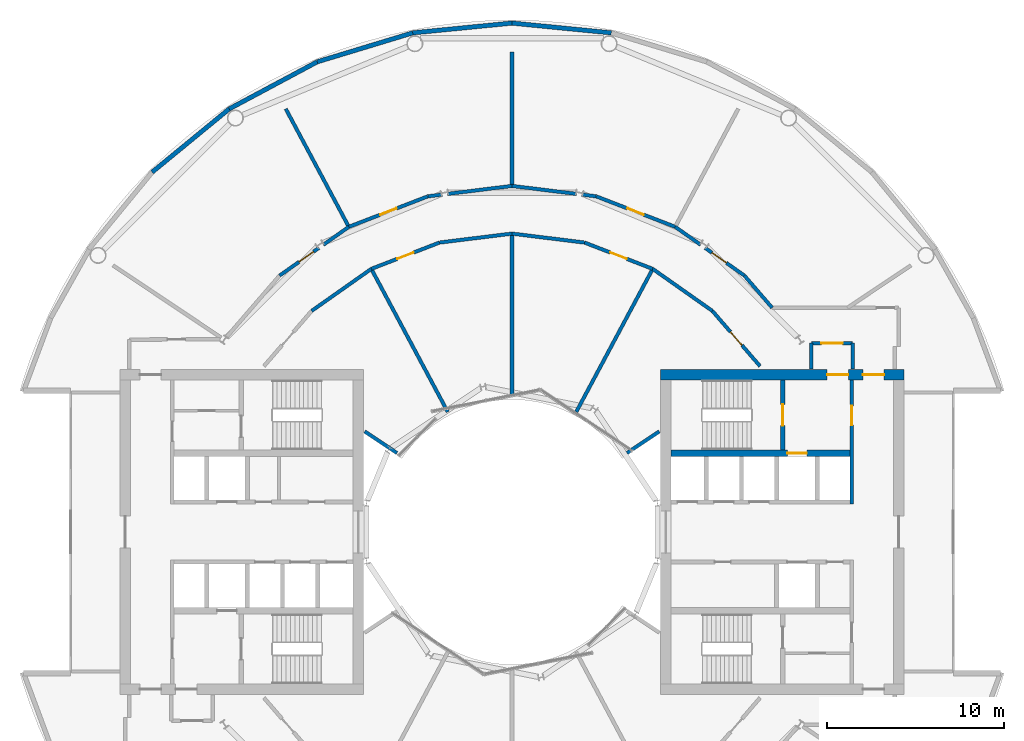
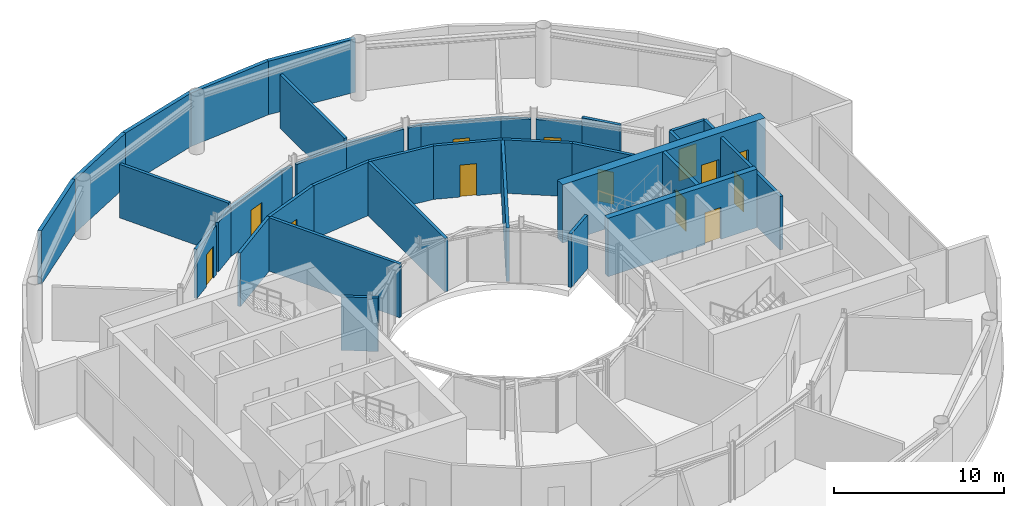
# One storey, part 14 of 18: 37 walls, 13 doors, 13 openings.
"""IFC4 building model written with IfcOpenShell, lengths in metres."""

from ifc_helpers import new_model, si_unit, direction, frame, frame_2d, origin, place, context, subcontext, project, spatial, rectangle, extrude, material, layer, layer_set, type_object, element, fill, save


model = new_model("IFC4")

# Units and contexts
model_context = context("Model", 3, precision=1e-05, world=origin(), true_north=direction((0.0, 1.0)))
body_context = subcontext(model_context, "Body", "Model", "MODEL_VIEW")
ifc_project = project(units=[si_unit("LENGTHUNIT", "METRE"), si_unit("AREAUNIT", "SQUARE_METRE"), si_unit("VOLUMEUNIT", "CUBIC_METRE"), si_unit("PLANEANGLEUNIT", "RADIAN"), si_unit("MASSUNIT", "GRAM", prefix="KILO")], contexts=[model_context])

# Site, building, storey
site_placement = place(None, origin())
site = spatial("IfcSite", under=ifc_project, at=site_placement, CompositionType="ELEMENT")
building_placement = place(site_placement, origin())
building = spatial("IfcBuilding", under=site, at=building_placement, Name="Maasbend Ring Residences", CompositionType="ELEMENT")
storey_placement = place(building_placement, frame((0.0, 0.0, 103.25)))
storey = spatial("IfcBuildingStorey", under=building, at=storey_placement, Name="L29", CompositionType="ELEMENT", Elevation=103.25)

# Walls
ifc_material_1 = material(Name="Concrete C30/37", Category="concrete")
ifc_layer_1 = layer(ifc_material_1, 0.199951171875)
ifc_layer_set_1 = layer_set([ifc_layer_1], Name="Concrete C30/37")
wall_type_1 = type_object("IfcWallType", Name="COMPARTMENT WALL 200 CONCRETE", PredefinedType="PARTITIONING", material=ifc_layer_set_1)
for number, where, z_axis, x_axis, name in (
    (1, (19.300048828125, 9.219970703125, 0.0), (0.0, 0.0, 1.0), (0.0, 1.0, 0.0), "U-L29-w016"),
    (2, (16.949951171875, 9.219970703125, 0.0), (0.0, 0.0, 1.0), (0.0, 1.0, 0.0), "U-L29-w017"),
):
    element("IfcWall", number, at=place(storey_placement, frame(where, z_axis=z_axis, x_axis=x_axis)), inside=storey, type_object=wall_type_1, Name=name, PredefinedType="PARTITIONING", context=body_context, shape_type="SweptSolid", body=[
        extrude(rectangle(XDim=1.47998046875, YDim=0.199951171875, at=frame_2d((0.739990234375, 0.0))), origin(), (0.0, 0.0, 1.0), 3.85009765625),
    ])
wall_1_placement = place(storey_placement, frame((-12.81298828125, 23.965087890625, 0.0), z_axis=(0.0, 0.0, 1.0), x_axis=(0.471439510802, -0.881898399848, 0.0)))
element("IfcWall", 3, at=wall_1_placement, inside=storey, type_object=wall_type_1, Name="U-L29-w033", PredefinedType="PARTITIONING", context=body_context, shape_type="SweptSolid", body=[
    extrude(rectangle(XDim=7.57470703125, YDim=0.199951171875, at=frame_2d((3.787353515625, 0.0))), origin(), (0.0, 0.0, 1.0), 3.85009765625),
])
wall_2_placement = place(storey_placement, frame((-7.968994140625, 14.903076171875, 0.0), z_axis=(0.0, 0.0, 1.0), x_axis=(0.471428625665, -0.881904218667, 0.0)))
element("IfcWall", 4, at=wall_2_placement, inside=storey, type_object=wall_type_1, Name="U-L29-w035", PredefinedType="PARTITIONING", context=body_context, shape_type="SweptSolid", body=[
    extrude(rectangle(XDim=9.180419921875, YDim=0.199951171875, at=frame_2d((4.59033203125, 0.0))), origin(), (0.0, 0.0, 1.0), 3.85009765625),
])
wall_3_placement = place(storey_placement, frame((0.0, 7.719970703125, 0.0), z_axis=(0.0, 0.0, 1.0), x_axis=(0.0, 1.0, 0.0)))
element("IfcWall", 5, at=wall_3_placement, inside=storey, type_object=wall_type_1, Name="U-L29-w039", PredefinedType="PARTITIONING", context=body_context, shape_type="SweptSolid", body=[
    extrude(rectangle(XDim=9.179931640625, YDim=0.199951171875, at=frame_2d((4.58984375, 0.0))), origin(), (0.0, 0.0, 1.0), 3.85009765625),
])
wall_4_placement = place(storey_placement, frame((0.0, 19.60009765625, 0.0), z_axis=(0.0, 0.0, 1.0), x_axis=(0.0, 1.0, 0.0)))
element("IfcWall", 6, at=wall_4_placement, inside=storey, type_object=wall_type_1, Name="U-L29-w040", PredefinedType="PARTITIONING", context=body_context, shape_type="SweptSolid", body=[
    extrude(rectangle(XDim=7.574951171875, YDim=0.199951171875, at=frame_2d((3.78759765625, 0.0))), origin(), (0.0, 0.0, 1.0), 3.85009765625),
])
wall_5_placement = place(storey_placement, frame((3.64111328125, 6.806884765625, 0.0), z_axis=(0.0, 0.0, 1.0), x_axis=(0.471428625665, 0.881904218667, 0.0)))
element("IfcWall", 7, at=wall_5_placement, inside=storey, type_object=wall_type_1, Name="U-L29-w042", PredefinedType="PARTITIONING", context=body_context, shape_type="SweptSolid", body=[
    extrude(rectangle(XDim=9.180419921875, YDim=0.199951171875, at=frame_2d((4.59033203125, 0.0))), origin(), (0.0, 0.0, 1.0), 3.85009765625),
])

# Wall, opening, door
wall_6_placement = place(storey_placement, frame((16.949951171875, 10.699951171875, 0.0), z_axis=(0.0, 0.0, 1.0), x_axis=(1.0, 0.0, 0.0)))
wall_6 = element("IfcWall", 8, at=wall_6_placement, inside=storey, type_object=wall_type_1, Name="U-L29-w049", PredefinedType="PARTITIONING", context=body_context, shape_type="SweptSolid", body=[
    extrude(rectangle(XDim=2.35009765625, YDim=0.199951171875, at=frame_2d((1.175048828125, 0.0))), origin(), (0.0, 0.0, 1.0), 3.85009765625),
])
opening_1_placement = place(wall_6_placement, frame((0.574951171875, 0.0, 0.0)))
opening_1 = element("IfcOpeningElement", 9, at=opening_1_placement, cuts=wall_6, Name="Opening D-2901", PredefinedType="OPENING", context=body_context, shape_type="SweptSolid", body=[
    extrude(rectangle(XDim=1.199951171875, YDim=2.300048828125, at=frame_2d((0.60009765625, 1.14990234375))), frame((0.0, 0.10986328125, 0.0), z_axis=(0.0, -1.0, 0.0), x_axis=(1.0, 0.0, 0.0)), (0.0, 0.0, 1.0), 0.219970703125),
])
ifc_material_2 = material(Name="Steel, fire-rated, painted", Category="steel")
door_type_1 = type_object("IfcDoorType", Name="REFUGE DOOR 1200 X 2300 FIRE-RATED", OperationType="NOTDEFINED", PredefinedType="DOOR", material=ifc_material_2)
door_1_placement = place(opening_1_placement, origin())
door_1 = element("IfcDoor", 10, at=door_1_placement, inside=storey, type_object=door_type_1, Name="D-2901", OperationType="SINGLE_SWING_LEFT", OverallHeight=2.300048828125, OverallWidth=1.199951171875, PredefinedType="DOOR", context=body_context, shape_type="SweptSolid", body=[
    extrude(rectangle(XDim=1.199951171875, YDim=2.300048828125, at=frame_2d((0.60009765625, 1.14990234375))), frame((0.0, 0.02490234375, 0.0), z_axis=(0.0, -1.0, 0.0), x_axis=(1.0, 0.0, 0.0)), (0.0, 0.0, 1.0), 0.050048828125),
])
fill(opening_1, door_1)

# Wall
wall_7_placement = place(storey_placement, frame((-11.34912109375, 12.52197265625, 0.0), z_axis=(0.0, 0.0, 1.0), x_axis=(0.817567680547, 0.575832517079, 0.0)))
element("IfcWall", 11, at=wall_7_placement, inside=storey, type_object=wall_type_1, Name="U-L29-w053", PredefinedType="PARTITIONING", context=body_context, shape_type="SweptSolid", body=[
    extrude(rectangle(XDim=4.13671875, YDim=0.199951171875, at=frame_2d((2.068359375, 0.0))), origin(), (0.0, 0.0, 1.0), 3.85009765625),
])

# Wall, opening, door
wall_8_placement = place(storey_placement, frame((-7.967041015625, 14.904052734375, 0.0), z_axis=(0.0, 0.0, 1.0), x_axis=(0.932943640288, 0.360022449363, 0.0)))
wall_8 = element("IfcWall", 12, at=wall_8_placement, inside=storey, type_object=wall_type_1, Name="U-L29-w054", PredefinedType="PARTITIONING", context=body_context, shape_type="SweptSolid", body=[
    extrude(rectangle(XDim=4.138671875, YDim=0.199951171875, at=frame_2d((2.0693359375, 0.0))), origin(), (0.0, 0.0, 1.0), 3.85009765625),
])
opening_2_placement = place(wall_8_placement, frame((1.569091796875, 0.0, 0.0)))
opening_2 = element("IfcOpeningElement", 13, at=opening_2_placement, cuts=wall_8, Name="Opening D-2909", PredefinedType="OPENING", context=body_context, shape_type="SweptSolid", body=[
    extrude(rectangle(XDim=1.0, YDim=2.300048828125, at=frame_2d((0.5, 1.14990234375))), frame((0.0, 0.10986328125, 0.0), z_axis=(0.0, -1.0, 0.0), x_axis=(1.0, 0.0, 0.0)), (0.0, 0.0, 1.0), 0.219970703125),
])
ifc_material_3 = material(Name="Steel, fire-rated, painted", Category="steel")
door_type_2 = type_object("IfcDoorType", Name="PLANT DOOR 1000 X 2300 FIRE-RATED", OperationType="NOTDEFINED", PredefinedType="DOOR", material=ifc_material_3)
door_2_placement = place(opening_2_placement, origin())
door_2 = element("IfcDoor", 14, at=door_2_placement, inside=storey, type_object=door_type_2, Name="D-2909", OperationType="SINGLE_SWING_RIGHT", OverallHeight=2.300048828125, OverallWidth=1.0, PredefinedType="DOOR", context=body_context, shape_type="SweptSolid", body=[
    extrude(rectangle(XDim=1.0, YDim=2.300048828125, at=frame_2d((0.5, 1.14990234375))), frame((0.0, 0.02490234375, 0.0), z_axis=(0.0, -1.0, 0.0), x_axis=(1.0, 0.0, 0.0)), (0.0, 0.0, 1.0), 0.050048828125),
])
fill(opening_2, door_2)

# Walls
for number, where, z_axis, x_axis, name in (
    (15, (-4.10595703125, 16.39404296875, 0.0), (0.0, 0.0, 1.0), (0.992496033272, 0.122276833211, 0.0), "U-L29-w055"),
    (16, (0.0, 16.89990234375, 0.0), (0.0, 0.0, 1.0), (0.992496033272, -0.122276833211, 0.0), "U-L29-w056"),
):
    element("IfcWall", number, at=place(storey_placement, frame(where, z_axis=z_axis, x_axis=x_axis)), inside=storey, type_object=wall_type_1, Name=name, PredefinedType="PARTITIONING", context=body_context, shape_type="SweptSolid", body=[
        extrude(rectangle(XDim=4.136962890625, YDim=0.199951171875, at=frame_2d((2.068359375, 0.0))), origin(), (0.0, 0.0, 1.0), 3.85009765625),
    ])

# Wall, opening, door
wall_9_placement = place(storey_placement, frame((4.10595703125, 16.39404296875, 0.0), z_axis=(0.0, 0.0, 1.0), x_axis=(0.932943640288, -0.360022449363, 0.0)))
wall_9 = element("IfcWall", 17, at=wall_9_placement, inside=storey, type_object=wall_type_1, Name="U-L29-w057", PredefinedType="PARTITIONING", context=body_context, shape_type="SweptSolid", body=[
    extrude(rectangle(XDim=4.138671875, YDim=0.199951171875, at=frame_2d((2.0693359375, 0.0))), origin(), (0.0, 0.0, 1.0), 3.85009765625),
])
opening_3_placement = place(wall_9_placement, frame((1.569091796875, 0.0, 0.0)))
opening_3 = element("IfcOpeningElement", 18, at=opening_3_placement, cuts=wall_9, Name="Opening D-2908", PredefinedType="OPENING", context=body_context, shape_type="SweptSolid", body=[
    extrude(rectangle(XDim=1.0, YDim=2.300048828125, at=frame_2d((0.5, 1.14990234375))), frame((0.0, 0.10986328125, 0.0), z_axis=(0.0, -1.0, 0.0), x_axis=(1.0, 0.0, 0.0)), (0.0, 0.0, 1.0), 0.219970703125),
])
door_3_placement = place(opening_3_placement, origin())
door_3 = element("IfcDoor", 19, at=door_3_placement, inside=storey, type_object=door_type_2, Name="D-2908", OperationType="SINGLE_SWING_LEFT", OverallHeight=2.300048828125, OverallWidth=1.0, PredefinedType="DOOR", context=body_context, shape_type="SweptSolid", body=[
    extrude(rectangle(XDim=1.0, YDim=2.300048828125, at=frame_2d((0.5, 1.14990234375))), frame((0.0, 0.02490234375, 0.0), z_axis=(0.0, -1.0, 0.0), x_axis=(1.0, 0.0, 0.0)), (0.0, 0.0, 1.0), 0.050048828125),
])
fill(opening_3, door_3)

# Wall
wall_10_placement = place(storey_placement, frame((7.967041015625, 14.904052734375, 0.0), z_axis=(0.0, 0.0, 1.0), x_axis=(0.817567680547, -0.575832517079, 0.0)))
element("IfcWall", 20, at=wall_10_placement, inside=storey, type_object=wall_type_1, Name="U-L29-w058", PredefinedType="PARTITIONING", context=body_context, shape_type="SweptSolid", body=[
    extrude(rectangle(XDim=4.13671875, YDim=0.199951171875, at=frame_2d((2.068359375, 0.0))), origin(), (0.0, 0.0, 1.0), 3.85009765625),
])

# Wall, opening, door
wall_11_placement = place(storey_placement, frame((11.34912109375, 12.52197265625, 0.0), z_axis=(0.0, 0.0, 1.0), x_axis=(0.653212695939, -0.757174467256, 0.0)))
wall_11 = element("IfcWall", 21, at=wall_11_placement, inside=storey, type_object=wall_type_1, Name="U-L29-w059", PredefinedType="PARTITIONING", context=body_context, shape_type="SweptSolid", body=[
    extrude(rectangle(XDim=4.137939453125, YDim=0.199951171875, at=frame_2d((2.06884765625, 0.0))), origin(), (0.0, 0.0, 1.0), 3.85009765625),
])
opening_4_placement = place(wall_11_placement, frame((1.569091796875, 0.0, 0.0)))
opening_4 = element("IfcOpeningElement", 22, at=opening_4_placement, cuts=wall_11, Name="Opening D-2907", PredefinedType="OPENING", context=body_context, shape_type="SweptSolid", body=[
    extrude(rectangle(XDim=1.0, YDim=2.300048828125, at=frame_2d((0.5, 1.14990234375))), frame((0.0, 0.10986328125, 0.0), z_axis=(0.0, -1.0, 0.0), x_axis=(1.0, 0.0, 0.0)), (0.0, 0.0, 1.0), 0.219970703125),
])
door_4_placement = place(opening_4_placement, origin())
door_4 = element("IfcDoor", 23, at=door_4_placement, inside=storey, type_object=door_type_2, Name="D-2907", OperationType="SINGLE_SWING_LEFT", OverallHeight=2.300048828125, OverallWidth=1.0, PredefinedType="DOOR", context=body_context, shape_type="SweptSolid", body=[
    extrude(rectangle(XDim=1.0, YDim=2.300048828125, at=frame_2d((0.5, 1.14990234375))), frame((0.0, 0.02490234375, 0.0), z_axis=(0.0, -1.0, 0.0), x_axis=(1.0, 0.0, 0.0)), (0.0, 0.0, 1.0), 0.050048828125),
])
fill(opening_4, door_4)

wall_12_placement = place(storey_placement, frame((-13.1630859375, 14.52294921875, 0.0), z_axis=(0.0, 0.0, 1.0), x_axis=(0.817645456482, 0.575722074872, 0.0)))
wall_12 = element("IfcWall", 24, at=wall_12_placement, inside=storey, type_object=wall_type_1, Name="U-L29-w063", PredefinedType="PARTITIONING", context=body_context, shape_type="SweptSolid", body=[
    extrude(rectangle(XDim=2.7236328125, YDim=0.199951171875, at=frame_2d((1.36181640625, 0.0))), origin(), (0.0, 0.0, 1.0), 3.5400390625),
])
opening_5_placement = place(wall_12_placement, frame((1.35009765625, 0.0, 0.0)))
opening_5 = element("IfcOpeningElement", 25, at=opening_5_placement, cuts=wall_12, Name="Opening D-2906", PredefinedType="OPENING", context=body_context, shape_type="SweptSolid", body=[
    extrude(rectangle(XDim=1.0, YDim=2.300048828125, at=frame_2d((0.5, 1.14990234375))), frame((0.0, 0.10986328125, 0.0), z_axis=(0.0, -1.0, 0.0), x_axis=(1.0, 0.0, 0.0)), (0.0, 0.0, 1.0), 0.219970703125),
])
door_5_placement = place(opening_5_placement, origin())
door_5 = element("IfcDoor", 26, at=door_5_placement, inside=storey, type_object=door_type_2, Name="D-2906", OperationType="SINGLE_SWING_RIGHT", OverallHeight=2.300048828125, OverallWidth=1.0, PredefinedType="DOOR", context=body_context, shape_type="SweptSolid", body=[
    extrude(rectangle(XDim=1.0, YDim=2.300048828125, at=frame_2d((0.5, 1.14990234375))), frame((0.0, 0.02490234375, 0.0), z_axis=(0.0, -1.0, 0.0), x_axis=(1.0, 0.0, 0.0)), (0.0, 0.0, 1.0), 0.050048828125),
])
fill(opening_5, door_5)

# Wall
wall_13_placement = place(storey_placement, frame((-10.68505859375, 16.26806640625, 0.0), z_axis=(0.0, 0.0, 1.0), x_axis=(0.817743843048, 0.575582320052, 0.0)))
element("IfcWall", 27, at=wall_13_placement, inside=storey, type_object=wall_type_1, Name="U-L29-w064", PredefinedType="PARTITIONING", context=body_context, shape_type="SweptSolid", body=[
    extrude(rectangle(XDim=1.768310546875, YDim=0.199951171875, at=frame_2d((0.88427734375, 0.0))), origin(), (0.0, 0.0, 1.0), 3.5400390625),
])

# Wall, opening, door
wall_14_placement = place(storey_placement, frame((-9.239013671875, 17.285888671875, 0.0), z_axis=(0.0, 0.0, 1.0), x_axis=(0.932988479706, 0.359906233255, 0.0)))
wall_14 = element("IfcWall", 28, at=wall_14_placement, inside=storey, type_object=wall_type_1, Name="U-L29-w065", PredefinedType="PARTITIONING", context=body_context, shape_type="SweptSolid", body=[
    extrude(rectangle(XDim=4.798583984375, YDim=0.199951171875, at=frame_2d((2.3994140625, 0.0))), origin(), (0.0, 0.0, 1.0), 3.5400390625),
])
opening_6_placement = place(wall_14_placement, frame((1.89892578125, 0.0, 0.0)))
opening_6 = element("IfcOpeningElement", 29, at=opening_6_placement, cuts=wall_14, Name="Opening D-2905", PredefinedType="OPENING", context=body_context, shape_type="SweptSolid", body=[
    extrude(rectangle(XDim=1.0, YDim=2.300048828125, at=frame_2d((0.5, 1.14990234375))), frame((0.0, 0.10986328125, 0.0), z_axis=(0.0, -1.0, 0.0), x_axis=(1.0, 0.0, 0.0)), (0.0, 0.0, 1.0), 0.219970703125),
])
door_6_placement = place(opening_6_placement, origin())
door_6 = element("IfcDoor", 30, at=door_6_placement, inside=storey, type_object=door_type_2, Name="D-2905", OperationType="SINGLE_SWING_LEFT", OverallHeight=2.300048828125, OverallWidth=1.0, PredefinedType="DOOR", context=body_context, shape_type="SweptSolid", body=[
    extrude(rectangle(XDim=1.0, YDim=2.300048828125, at=frame_2d((0.5, 1.14990234375))), frame((0.0, 0.02490234375, 0.0), z_axis=(0.0, -1.0, 0.0), x_axis=(1.0, 0.0, 0.0)), (0.0, 0.0, 1.0), 0.050048828125),
])
fill(opening_6, door_6)

# Walls
wall_15_placement = place(storey_placement, frame((-4.761962890625, 19.012939453125, 0.0), z_axis=(0.0, 0.0, 1.0), x_axis=(0.99248512894, 0.122365308943, 0.0)))
element("IfcWall", 31, at=wall_15_placement, inside=storey, type_object=wall_type_1, Name="U-L29-w066", PredefinedType="PARTITIONING", context=body_context, shape_type="SweptSolid", body=[
    extrude(rectangle(XDim=0.81005859375, YDim=0.199951171875, at=frame_2d((0.405029296875, 0.0))), origin(), (0.0, 0.0, 1.0), 3.5400390625),
])
for number, where, z_axis, x_axis, name in (
    (32, (-3.653076171875, 19.14990234375, 0.0), (0.0, 0.0, 1.0), (0.992491698106, 0.122312015726, 0.0), "U-L29-w067"),
    (33, (0.0, 19.60009765625, 0.0), (0.0, 0.0, 1.0), (0.992491698106, -0.122312015726, 0.0), "U-L29-w068"),
):
    element("IfcWall", number, at=place(storey_placement, frame(where, z_axis=z_axis, x_axis=x_axis)), inside=storey, type_object=wall_type_1, Name=name, PredefinedType="PARTITIONING", context=body_context, shape_type="SweptSolid", body=[
        extrude(rectangle(XDim=3.6806640625, YDim=0.199951171875, at=frame_2d((1.84033203125, 0.0))), origin(), (0.0, 0.0, 1.0), 3.5400390625),
    ])
wall_16_placement = place(storey_placement, frame((3.9580078125, 19.112060546875, 0.0), z_axis=(0.0, 0.0, 1.0), x_axis=(0.99248512894, -0.122365308943, 0.0)))
element("IfcWall", 34, at=wall_16_placement, inside=storey, type_object=wall_type_1, Name="U-L29-w069", PredefinedType="PARTITIONING", context=body_context, shape_type="SweptSolid", body=[
    extrude(rectangle(XDim=0.81005859375, YDim=0.199951171875, at=frame_2d((0.405029296875, 0.0))), origin(), (0.0, 0.0, 1.0), 3.5400390625),
])

# Wall, opening, door
wall_17_placement = place(storey_placement, frame((4.761962890625, 19.012939453125, 0.0), z_axis=(0.0, 0.0, 1.0), x_axis=(0.932988479706, -0.359906233255, 0.0)))
wall_17 = element("IfcWall", 35, at=wall_17_placement, inside=storey, type_object=wall_type_1, Name="U-L29-w070", PredefinedType="PARTITIONING", context=body_context, shape_type="SweptSolid", body=[
    extrude(rectangle(XDim=4.798583984375, YDim=0.199951171875, at=frame_2d((2.3994140625, 0.0))), origin(), (0.0, 0.0, 1.0), 3.5400390625),
])
opening_7_placement = place(wall_17_placement, frame((1.89892578125, 0.0, 0.0)))
opening_7 = element("IfcOpeningElement", 36, at=opening_7_placement, cuts=wall_17, Name="Opening D-2904", PredefinedType="OPENING", context=body_context, shape_type="SweptSolid", body=[
    extrude(rectangle(XDim=1.0, YDim=2.300048828125, at=frame_2d((0.5, 1.14990234375))), frame((0.0, 0.10986328125, 0.0), z_axis=(0.0, -1.0, 0.0), x_axis=(1.0, 0.0, 0.0)), (0.0, 0.0, 1.0), 0.219970703125),
])
door_7_placement = place(opening_7_placement, origin())
door_7 = element("IfcDoor", 37, at=door_7_placement, inside=storey, type_object=door_type_2, Name="D-2904", OperationType="SINGLE_SWING_RIGHT", OverallHeight=2.300048828125, OverallWidth=1.0, PredefinedType="DOOR", context=body_context, shape_type="SweptSolid", body=[
    extrude(rectangle(XDim=1.0, YDim=2.300048828125, at=frame_2d((0.5, 1.14990234375))), frame((0.0, 0.02490234375, 0.0), z_axis=(0.0, -1.0, 0.0), x_axis=(1.0, 0.0, 0.0)), (0.0, 0.0, 1.0), 0.050048828125),
])
fill(opening_7, door_7)

# Wall
wall_18_placement = place(storey_placement, frame((9.239013671875, 17.285888671875, 0.0), z_axis=(0.0, 0.0, 1.0), x_axis=(0.817743843048, -0.575582320052, 0.0)))
element("IfcWall", 38, at=wall_18_placement, inside=storey, type_object=wall_type_1, Name="U-L29-w071", PredefinedType="PARTITIONING", context=body_context, shape_type="SweptSolid", body=[
    extrude(rectangle(XDim=1.768310546875, YDim=0.199951171875, at=frame_2d((0.88427734375, 0.0))), origin(), (0.0, 0.0, 1.0), 3.5400390625),
])

# Wall, opening, door
wall_19_placement = place(storey_placement, frame((10.93603515625, 16.091064453125, 0.0), z_axis=(0.0, 0.0, 1.0), x_axis=(0.817645456482, -0.575722074872, 0.0)))
wall_19 = element("IfcWall", 39, at=wall_19_placement, inside=storey, type_object=wall_type_1, Name="U-L29-w072", PredefinedType="PARTITIONING", context=body_context, shape_type="SweptSolid", body=[
    extrude(rectangle(XDim=2.7236328125, YDim=0.199951171875, at=frame_2d((1.36181640625, 0.0))), origin(), (0.0, 0.0, 1.0), 3.5400390625),
])
opening_8_placement = place(wall_19_placement, frame((0.47412109375, 0.0, 0.0)))
opening_8 = element("IfcOpeningElement", 40, at=opening_8_placement, cuts=wall_19, Name="Opening D-2903", PredefinedType="OPENING", context=body_context, shape_type="SweptSolid", body=[
    extrude(rectangle(XDim=1.0, YDim=2.300048828125, at=frame_2d((0.5, 1.14990234375))), frame((0.0, 0.10986328125, 0.0), z_axis=(0.0, -1.0, 0.0), x_axis=(1.0, 0.0, 0.0)), (0.0, 0.0, 1.0), 0.219970703125),
])
door_8_placement = place(opening_8_placement, origin())
door_8 = element("IfcDoor", 41, at=door_8_placement, inside=storey, type_object=door_type_2, Name="D-2903", OperationType="SINGLE_SWING_LEFT", OverallHeight=2.300048828125, OverallWidth=1.0, PredefinedType="DOOR", context=body_context, shape_type="SweptSolid", body=[
    extrude(rectangle(XDim=1.0, YDim=2.300048828125, at=frame_2d((0.5, 1.14990234375))), frame((0.0, 0.02490234375, 0.0), z_axis=(0.0, -1.0, 0.0), x_axis=(1.0, 0.0, 0.0)), (0.0, 0.0, 1.0), 0.050048828125),
])
fill(opening_8, door_8)

# Wall
wall_20_placement = place(storey_placement, frame((13.1630859375, 14.52294921875, 0.0), z_axis=(0.0, 0.0, 1.0), x_axis=(0.653051967032, -0.757313097969, 0.0)))
element("IfcWall", 42, at=wall_20_placement, inside=storey, type_object=wall_type_1, Name="U-L29-w073", PredefinedType="PARTITIONING", context=body_context, shape_type="SweptSolid", body=[
    extrude(rectangle(XDim=2.4072265625, YDim=0.199951171875, at=frame_2d((1.20361328125, 0.0))), origin(), (0.0, 0.0, 1.0), 3.85009765625),
])

# Wall, opening, door
ifc_material_4 = material(Name="Concrete C60/75", Category="concrete")
ifc_layer_2 = layer(ifc_material_4, 0.25)
ifc_layer_set_2 = layer_set([ifc_layer_2], Name="Concrete C60/75")
wall_type_2 = type_object("IfcWallType", Name="CORE WALL 250 C60/75", PredefinedType="SHEAR", material=ifc_layer_set_2)
wall_21_placement = place(storey_placement, frame((15.324951171875, 4.64990234375, 0.0), z_axis=(0.0, 0.0, 1.0), x_axis=(0.0, 1.0, 0.0)))
wall_21 = element("IfcWall", 43, at=wall_21_placement, inside=storey, type_object=wall_type_2, Name="L29 core E wall STEN", PredefinedType="SHEAR", context=body_context, shape_type="SweptSolid", body=[
    extrude(rectangle(XDim=3.9501953125, YDim=0.25, at=frame_2d((1.97509765625, 0.0))), origin(), (0.0, 0.0, 1.0), 4.199951171875),
])
opening_9_placement = place(wall_21_placement, frame((1.375, 0.0, 0.0)))
opening_9 = element("IfcOpeningElement", 44, at=opening_9_placement, cuts=wall_21, Name="Opening D-E2909", PredefinedType="OPENING", context=body_context, shape_type="SweptSolid", body=[
    extrude(rectangle(XDim=1.199951171875, YDim=2.300048828125, at=frame_2d((0.60009765625, 1.14990234375))), frame((0.0, 0.135009765625, 0.0), z_axis=(0.0, -1.0, 0.0), x_axis=(1.0, 0.0, 0.0)), (0.0, 0.0, 1.0), 0.27001953125),
])
ifc_material_5 = material(Name="Steel, powder coated", Category="steel")
door_type_3 = type_object("IfcDoorType", Name="STAIR DOOR 1200 X 2300 FD60", OperationType="NOTDEFINED", PredefinedType="DOOR", material=ifc_material_5)
door_9_placement = place(opening_9_placement, origin())
door_9 = element("IfcDoor", 45, at=door_9_placement, inside=storey, type_object=door_type_3, Name="Stair door ST-E L29", OperationType="SINGLE_SWING_LEFT", OverallHeight=2.300048828125, OverallWidth=1.199951171875, PredefinedType="DOOR", context=body_context, shape_type="SweptSolid", body=[
    extrude(rectangle(XDim=1.199951171875, YDim=2.300048828125, at=frame_2d((0.60009765625, 1.14990234375))), frame((0.0, 0.02490234375, 0.0), z_axis=(0.0, -1.0, 0.0), x_axis=(1.0, 0.0, 0.0)), (0.0, 0.0, 1.0), 0.050048828125),
])
fill(opening_9, door_9)

ifc_material_6 = material(Name="Concrete C60/75", Category="concrete")
ifc_layer_3 = layer(ifc_material_6, 0.375)
ifc_layer_set_3 = layer_set([ifc_layer_3], Name="Concrete C60/75")
wall_type_3 = type_object("IfcWallType", Name="CORE WALL 375 C60/75", PredefinedType="SHEAR", material=ifc_layer_set_3)
wall_22_placement = place(storey_placement, frame((9.0, 4.46240234375, 0.0), z_axis=(0.0, 0.0, 1.0), x_axis=(1.0, 0.0, 0.0)))
wall_22 = element("IfcWall", 46, at=wall_22_placement, inside=storey, type_object=wall_type_3, Name="L29 core E wall BN", PredefinedType="SHEAR", context=body_context, shape_type="SweptSolid", body=[
    extrude(rectangle(XDim=10.14990234375, YDim=0.375, at=frame_2d((5.074951171875, 0.0))), origin(), (0.0, 0.0, 1.0), 4.199951171875),
])
opening_10_placement = place(wall_22_placement, frame((6.60009765625, 0.0, 0.0)))
opening_10 = element("IfcOpeningElement", 47, at=opening_10_placement, cuts=wall_22, Name="Opening LD-E2904", PredefinedType="OPENING", context=body_context, shape_type="SweptSolid", body=[
    extrude(rectangle(XDim=1.10009765625, YDim=2.300048828125, at=frame_2d((0.550048828125, 1.14990234375))), frame((0.0, 0.197509765625, 0.0), z_axis=(0.0, -1.0, 0.0), x_axis=(1.0, 0.0, 0.0)), (0.0, 0.0, 1.0), 0.39501953125),
])
ifc_material_7 = material(Name="Stainless steel 316", Category="steel")
door_type_4 = type_object("IfcDoorType", Name="LANDING DOOR 1100 X 2300 FD60", OperationType="DOUBLE_DOOR_SLIDING", PredefinedType="DOOR", material=ifc_material_7)
door_10_placement = place(opening_10_placement, origin())
door_10 = element("IfcDoor", 48, at=door_10_placement, inside=storey, type_object=door_type_4, Name="Landing door FF-E L29", OperationType="DOUBLE_DOOR_SLIDING", OverallHeight=2.300048828125, OverallWidth=1.10009765625, PredefinedType="DOOR", context=body_context, shape_type="SweptSolid", body=[
    extrude(rectangle(XDim=1.10009765625, YDim=2.300048828125, at=frame_2d((0.550048828125, 1.14990234375))), frame((0.0, 0.02490234375, 0.0), z_axis=(0.0, -1.0, 0.0), x_axis=(1.0, 0.0, 0.0)), (0.0, 0.0, 1.0), 0.050048828125),
])
fill(opening_10, door_10)

# Wall, openings, doors
ifc_material_8 = material(Name="Concrete C60/75", Category="concrete")
ifc_layer_4 = layer(ifc_material_8, 0.60009765625)
ifc_layer_set_4 = layer_set([ifc_layer_4], Name="Concrete C60/75")
wall_type_4 = type_object("IfcWallType", Name="CORE WALL 600 C60/75", PredefinedType="SHEAR", material=ifc_layer_set_4)
wall_23_placement = place(storey_placement, frame((22.199951171875, 8.89990234375, 0.0), z_axis=(0.0, 0.0, 1.0), x_axis=(-1.0, 0.0, 0.0)))
wall_23 = element("IfcWall", 49, at=wall_23_placement, inside=storey, type_object=wall_type_4, Name="L29 core E wall PN", PredefinedType="SHEAR", context=body_context, shape_type="SweptSolid", body=[
    extrude(rectangle(XDim=13.800048828125, YDim=0.60009765625, at=frame_2d((6.89990234375, 0.0))), origin(), (0.0, 0.0, 1.0), 4.199951171875),
])
opening_11_placement = place(wall_23_placement, frame((1.125, 0.0, 0.0)))
opening_11 = element("IfcOpeningElement", 50, at=opening_11_placement, cuts=wall_23, Name="Opening D-E2913", PredefinedType="OPENING", context=body_context, shape_type="SweptSolid", body=[
    extrude(rectangle(XDim=1.199951171875, YDim=2.300048828125, at=frame_2d((0.60009765625, 1.14990234375))), frame((0.0, 0.31005859375, 0.0), z_axis=(0.0, -1.0, 0.0), x_axis=(1.0, 0.0, 0.0)), (0.0, 0.0, 1.0), 0.6201171875),
])
opening_12_placement = place(wall_23_placement, frame((3.14990234375, 0.0, 0.0)))
opening_12 = element("IfcOpeningElement", 51, at=opening_12_placement, cuts=wall_23, Name="Opening D-E2915", PredefinedType="OPENING", context=body_context, shape_type="SweptSolid", body=[
    extrude(rectangle(XDim=1.199951171875, YDim=2.300048828125, at=frame_2d((0.60009765625, 1.14990234375))), frame((0.0, 0.31005859375, 0.0), z_axis=(0.0, -1.0, 0.0), x_axis=(1.0, 0.0, 0.0)), (0.0, 0.0, 1.0), 0.6201171875),
])
ifc_material_9 = material(Name="Steel, powder coated", Category="steel")
door_type_5 = type_object("IfcDoorType", Name="CORRIDOR DOOR 1200 X 2300 FD30S", OperationType="NOTDEFINED", PredefinedType="DOOR", material=ifc_material_9)
door_11_placement = place(opening_11_placement, origin())
door_11 = element("IfcDoor", 52, at=door_11_placement, inside=storey, type_object=door_type_5, Name="Corridor door L29", OperationType="SINGLE_SWING_RIGHT", OverallHeight=2.300048828125, OverallWidth=1.199951171875, PredefinedType="DOOR", context=body_context, shape_type="SweptSolid", body=[
    extrude(rectangle(XDim=1.199951171875, YDim=2.300048828125, at=frame_2d((0.60009765625, 1.14990234375))), frame((0.0, 0.02490234375, 0.0), z_axis=(0.0, -1.0, 0.0), x_axis=(1.0, 0.0, 0.0)), (0.0, 0.0, 1.0), 0.050048828125),
])
fill(opening_11, door_11)
ifc_material_10 = material(Name="Steel, powder coated", Category="steel")
door_type_6 = type_object("IfcDoorType", Name="LOBBY DOOR 1200 X 2300 FD60", OperationType="NOTDEFINED", PredefinedType="DOOR", material=ifc_material_10)
door_12_placement = place(opening_12_placement, origin())
door_12 = element("IfcDoor", 53, at=door_12_placement, inside=storey, type_object=door_type_6, Name="Lobby door L29", OperationType="SINGLE_SWING_RIGHT", OverallHeight=2.300048828125, OverallWidth=1.199951171875, PredefinedType="DOOR", context=body_context, shape_type="SweptSolid", body=[
    extrude(rectangle(XDim=1.199951171875, YDim=2.300048828125, at=frame_2d((0.60009765625, 1.14990234375))), frame((0.0, 0.02490234375, 0.0), z_axis=(0.0, -1.0, 0.0), x_axis=(1.0, 0.0, 0.0)), (0.0, 0.0, 1.0), 0.050048828125),
])
fill(opening_12, door_12)

# Walls
ifc_material_11 = material(Name="Louvred aluminium panel", Category="aluminium")
ifc_layer_5 = layer(ifc_material_11, 0.25)
ifc_layer_set_5 = layer_set([ifc_layer_5], Name="EW-LV")
wall_type_5 = type_object("IfcWallType", Name="EW-LV", PredefinedType="SOLIDWALL", material=ifc_layer_set_5)
for number, where, z_axis, x_axis, name in (
    (54, (5.623046875, 28.27099609375, 0.0), (0.0, 0.0, 1.0), (-0.995182425127, 0.098040505497, 0.0), "External wall N05"),
    (55, (0.0, 28.824951171875, 0.0), (0.0, 0.0, 1.0), (-0.995182425127, -0.098040505497, 0.0), "External wall N06"),
):
    element("IfcWall", number, at=place(storey_placement, frame(where, z_axis=z_axis, x_axis=x_axis)), inside=storey, type_object=wall_type_5, Name=name, PredefinedType="SOLIDWALL", context=body_context, shape_type="SweptSolid", body=[
        extrude(rectangle(XDim=5.650146484375, YDim=0.25, at=frame_2d((2.8251953125, 0.0))), origin(), (0.0, 0.0, 1.0), 3.85009765625),
    ])
wall_24_placement = place(storey_placement, frame((-5.623046875, 28.27099609375, 0.0), z_axis=(0.0, 0.0, 1.0), x_axis=(-0.956969521741, -0.29018844646, 0.0)))
element("IfcWall", 56, at=wall_24_placement, inside=storey, type_object=wall_type_5, Name="External wall N07", PredefinedType="SOLIDWALL", context=body_context, shape_type="SweptSolid", body=[
    extrude(rectangle(XDim=5.651123046875, YDim=0.25, at=frame_2d((2.82568359375, 0.0))), origin(), (0.0, 0.0, 1.0), 3.85009765625),
])
wall_25_placement = place(storey_placement, frame((-11.031005859375, 26.631103515625, 0.0), z_axis=(0.0, 0.0, 1.0), x_axis=(-0.881874058161, -0.471485042756, 0.0)))
element("IfcWall", 57, at=wall_25_placement, inside=storey, type_object=wall_type_5, Name="External wall N08", PredefinedType="SOLIDWALL", context=body_context, shape_type="SweptSolid", body=[
    extrude(rectangle(XDim=5.650390625, YDim=0.25, at=frame_2d((2.8251953125, 0.0))), origin(), (0.0, 0.0, 1.0), 3.85009765625),
])
wall_26_placement = place(storey_placement, frame((-16.013916015625, 23.967041015625, 0.0), z_axis=(0.0, 0.0, 1.0), x_axis=(-0.773001659186, -0.634403999748, 0.0)))
element("IfcWall", 58, at=wall_26_placement, inside=storey, type_object=wall_type_5, Name="External wall N09", PredefinedType="SOLIDWALL", context=body_context, shape_type="SweptSolid", body=[
    extrude(rectangle(XDim=5.65087890625, YDim=0.25, at=frame_2d((2.825439453125, 0.0))), origin(), (0.0, 0.0, 1.0), 3.85009765625),
])
ifc_material_12 = material(Name="Concrete C30/37", Category="concrete")
ifc_layer_6 = layer(ifc_material_12, 0.199951171875)
ifc_layer_set_6 = layer_set([ifc_layer_6], Name="Concrete C30/37")
wall_type_6 = type_object("IfcWallType", Name="PARTY WALL 200 CONCRETE", PredefinedType="PARTITIONING", material=ifc_layer_set_6)
for number, where, z_axis, x_axis, name in (
    (59, (-6.512939453125, 4.471923828125, 0.0), (0.0, 0.0, 1.0), (-0.831333375071, 0.555774072347, 0.0), "U-L29-w047"),
    (60, (6.512939453125, 4.471923828125, 0.0), (0.0, 0.0, 1.0), (0.831333375071, 0.555774072347, 0.0), "U-L29-w048"),
):
    element("IfcWall", number, at=place(storey_placement, frame(where, z_axis=z_axis, x_axis=x_axis)), inside=storey, type_object=wall_type_6, Name=name, PredefinedType="PARTITIONING", context=body_context, shape_type="SweptSolid", body=[
        extrude(rectangle(XDim=2.20263671875, YDim=0.199951171875, at=frame_2d((1.101318359375, 0.0))), origin(), (0.0, 0.0, 1.0), 3.85009765625),
    ])

# Wall, opening, door
ifc_material_13 = material(Name="Concrete C30/37", Category="concrete")
ifc_layer_7 = layer(ifc_material_13, 0.199951171875)
ifc_layer_set_7 = layer_set([ifc_layer_7], Name="Concrete C30/37")
wall_type_7 = type_object("IfcWallType", Name="SHAFT WALL 200 EI 120", PredefinedType="SOLIDWALL", material=ifc_layer_set_7)
wall_27_placement = place(storey_placement, frame((19.25, 1.574951171875, 0.0), z_axis=(0.0, 0.0, 1.0), x_axis=(0.0, 1.0, 0.0)))
wall_27 = element("IfcWall", 61, at=wall_27_placement, inside=storey, type_object=wall_type_7, Name="L29 core E wall ENDN", PredefinedType="SOLIDWALL", context=body_context, shape_type="SweptSolid", body=[
    extrude(rectangle(XDim=7.025146484375, YDim=0.199951171875, at=frame_2d((3.5126953125, 0.0))), origin(), (0.0, 0.0, 1.0), 3.85009765625),
])
opening_13_placement = place(wall_27_placement, frame((4.47509765625, 0.0, 0.0)))
opening_13 = element("IfcOpeningElement", 62, at=opening_13_placement, cuts=wall_27, Name="Opening D-E2911", PredefinedType="OPENING", context=body_context, shape_type="SweptSolid", body=[
    extrude(rectangle(XDim=1.10009765625, YDim=2.300048828125, at=frame_2d((0.550048828125, 1.14990234375))), frame((0.0, 0.10986328125, 0.0), z_axis=(0.0, -1.0, 0.0), x_axis=(1.0, 0.0, 0.0)), (0.0, 0.0, 1.0), 0.219970703125),
])
ifc_material_14 = material(Name="Steel, powder coated", Category="steel")
door_type_7 = type_object("IfcDoorType", Name="LOBBY DOOR 1100 X 2300 FD60", OperationType="NOTDEFINED", PredefinedType="DOOR", material=ifc_material_14)
door_13_placement = place(opening_13_placement, origin())
door_13 = element("IfcDoor", 63, at=door_13_placement, inside=storey, type_object=door_type_7, Name="Lobby door L29", OperationType="SINGLE_SWING_LEFT", OverallHeight=2.300048828125, OverallWidth=1.10009765625, PredefinedType="DOOR", context=body_context, shape_type="SweptSolid", body=[
    extrude(rectangle(XDim=1.10009765625, YDim=2.300048828125, at=frame_2d((0.550048828125, 1.14990234375))), frame((0.0, 0.02490234375, 0.0), z_axis=(0.0, -1.0, 0.0), x_axis=(1.0, 0.0, 0.0)), (0.0, 0.0, 1.0), 0.050048828125),
])
fill(opening_13, door_13)

save(model, "model.ifc")
